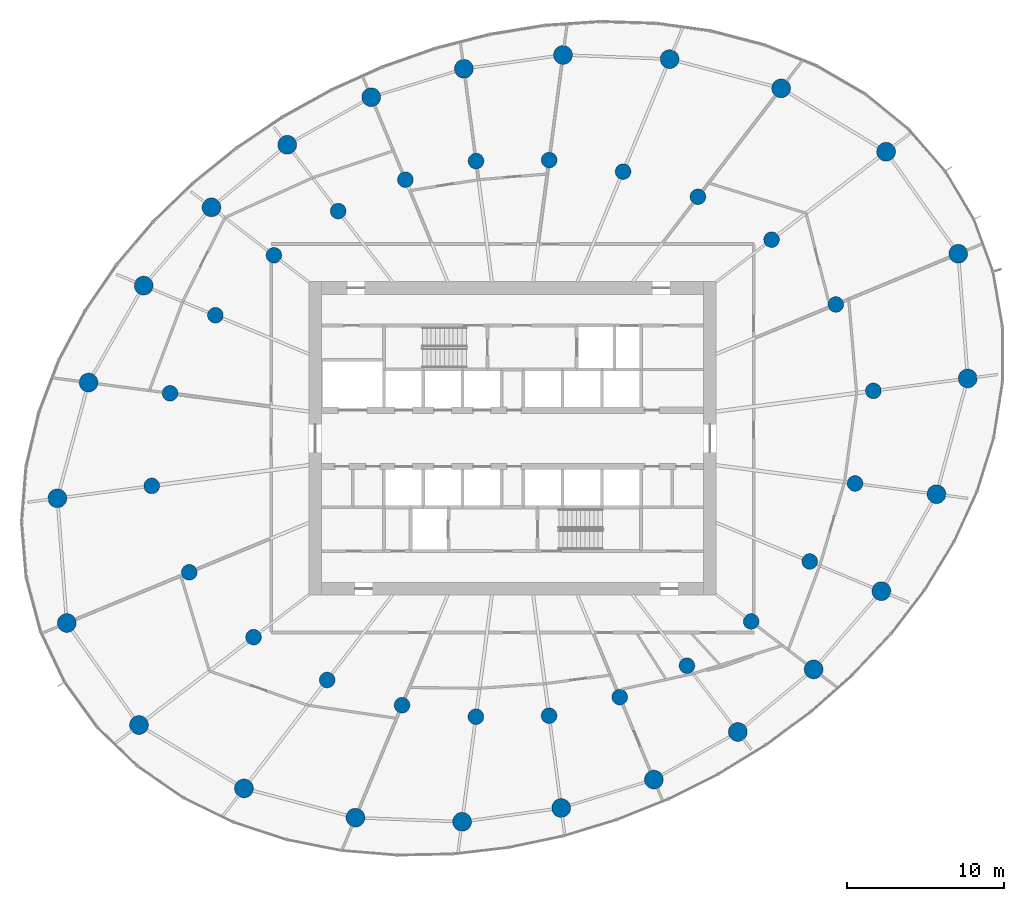
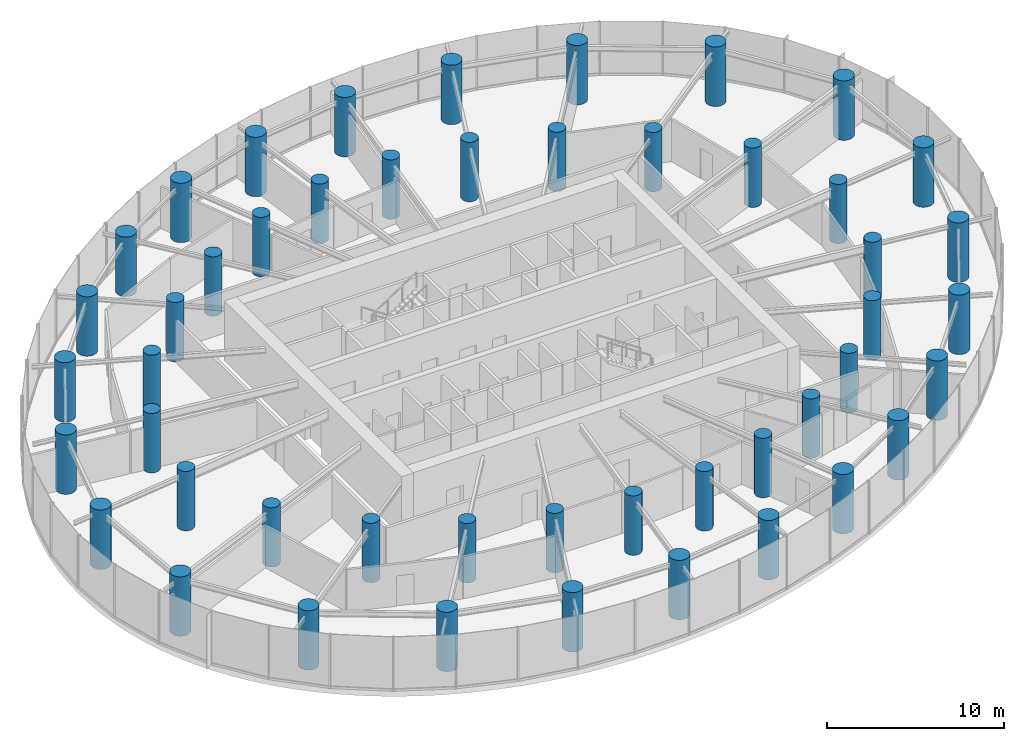
# One storey, part 1 of 17: 48 columns.
"""IFC4 building model written with IfcOpenShell, lengths in metres."""

from ifc_helpers import new_model, si_unit, direction, frame, origin, origin_2d, place, context, subcontext, project, spatial, circle, extrude, source, transform, mapped, material, material_profile, profile_set, type_object, element, save


model = new_model("IFC4")

# Units and contexts
model_context = context("Model", 3, precision=1e-05, world=origin(), true_north=direction((0.0, 1.0)))
body_context = subcontext(model_context, "Body", "Model", "MODEL_VIEW")
ifc_project = project(units=[si_unit("LENGTHUNIT", "METRE"), si_unit("AREAUNIT", "SQUARE_METRE"), si_unit("VOLUMEUNIT", "CUBIC_METRE"), si_unit("PLANEANGLEUNIT", "RADIAN"), si_unit("MASSUNIT", "GRAM", prefix="KILO")], contexts=[model_context])

# Site, building, storey
site_placement = place(None, origin())
site = spatial("IfcSite", under=ifc_project, at=site_placement, CompositionType="ELEMENT")
building_placement = place(site_placement, origin())
building = spatial("IfcBuilding", under=site, at=building_placement, Name="Spindrift Exchange Tower", CompositionType="ELEMENT")
storey_placement = place(building_placement, frame((0.0, 0.0, 96.199951171875)))
storey = spatial("IfcBuildingStorey", under=building, at=storey_placement, Name="L22", CompositionType="ELEMENT", Elevation=96.199951171875)

# Columns
ifc_material = material(Name="Concrete 65 MPa", Category="concrete")
ifc_material_profile_1 = material_profile(ifc_material, circle(Radius=0.60009765625, at=origin_2d()), Name="RC D1200")
ifc_profile_set_1 = profile_set([ifc_material_profile_1], Name="Concrete 65 MPa")
column_type_1 = type_object("IfcColumnType", Name="RC Perimeter Column D1200 Concrete 65 MPa", PredefinedType="COLUMN", material=ifc_profile_set_1)
shared_shape_1 = source(origin(), body_context, "Body", "SweptSolid", [
    extrude(circle(Radius=0.60009765625, at=origin_2d()), origin(), (0.0, 0.0, 1.0), 4.10009765625),
])
for number, where, z_axis, x_axis, name in (
    (1, (81.056396484375, 51.8251953125, 0.0), (0.0, 0.0, 1.0), (1.0, 0.0, 0.0), "Perimeter column P2-01 L22"),
    (2, (80.45556640625, 59.78662109375, 0.0), (0.0, 0.0, 1.0), (1.0, 0.0, 0.0), "Perimeter column P2-02 L22"),
    (3, (75.84814453125, 66.29931640625, 0.0), (0.0, 0.0, 1.0), (1.0, 0.0, 0.0), "Perimeter column P2-03 L22"),
    (4, (69.145751953125, 70.3447265625, 0.0), (0.0, 0.0, 1.0), (1.0, 0.0, 0.0), "Perimeter column P2-04 L22"),
    (5, (62.029052734375, 72.212158203125, 0.0), (0.0, 0.0, 1.0), (1.0, 0.0, 0.0), "Perimeter column P2-05 L22"),
    (6, (55.222412109375, 72.476806640625, 0.0), (0.0, 0.0, 1.0), (1.0, 0.0, 0.0), "Perimeter column P2-06 L22"),
    (7, (48.8935546875, 71.595458984375, 0.0), (0.0, 0.0, 1.0), (1.0, 0.0, 0.0), "Perimeter column P2-07 L22"),
    (8, (42.978271484375, 69.780517578125, 0.0), (0.0, 0.0, 1.0), (1.0, 0.0, 0.0), "Perimeter column P2-08 L22"),
    (9, (37.617919921875, 66.742919921875, 0.0), (0.0, 0.0, 1.0), (1.0, 0.0, 0.0), "Perimeter column P2-09 L22"),
    (10, (32.7802734375, 62.747802734375, 0.0), (0.0, 0.0, 1.0), (1.0, 0.0, 0.0), "Perimeter column P2-10 L22"),
    (11, (28.4521484375, 57.75390625, 0.0), (0.0, 0.0, 1.0), (1.0, 0.0, 0.0), "Perimeter column P2-11 L22"),
    (12, (24.935546875, 51.56298828125, 0.0), (0.0, 0.0, 1.0), (1.0, 0.0, 0.0), "Perimeter column P2-12 L22"),
    (13, (22.943603515625, 44.1748046875, 0.0), (0.0, 0.0, 1.0), (1.0, 0.0, 0.0), "Perimeter column P2-13 L22"),
    (14, (23.54443359375, 36.21337890625, 0.0), (0.0, 0.0, 1.0), (1.0, 0.0, 0.0), "Perimeter column P2-14 L22"),
    (15, (28.15185546875, 29.70068359375, 0.0), (0.0, 0.0, 1.0), (1.0, 0.0, 0.0), "Perimeter column P2-15 L22"),
    (16, (34.854248046875, 25.6552734375, 0.0), (0.0, 0.0, 1.0), (1.0, 0.0, 0.0), "Perimeter column P2-16 L22"),
    (17, (41.970947265625, 23.787841796875, 0.0), (0.0, 0.0, 1.0), (1.0, 0.0, 0.0), "Perimeter column P2-17 L22"),
    (18, (48.777587890625, 23.523193359375, 0.0), (0.0, 0.0, 1.0), (1.0, 0.0, 0.0), "Perimeter column P2-18 L22"),
    (19, (55.1064453125, 24.404541015625, 0.0), (0.0, 0.0, 1.0), (1.0, 0.0, 0.0), "Perimeter column P2-19 L22"),
    (20, (61.021728515625, 26.219482421875, 0.0), (0.0, 0.0, 1.0), (1.0, 0.0, 0.0), "Perimeter column P2-20 L22"),
    (21, (66.382080078125, 29.257080078125, 0.0), (0.0, 0.0, 1.0), (1.0, 0.0, 0.0), "Perimeter column P2-21 L22"),
    (22, (71.2197265625, 33.252197265625, 0.0), (0.0, 0.0, 1.0), (1.0, 0.0, 0.0), "Perimeter column P2-22 L22"),
    (23, (75.5478515625, 38.24609375, 0.0), (0.0, 0.0, 1.0), (1.0, 0.0, 0.0), "Perimeter column P2-23 L22"),
    (24, (79.064453125, 44.43701171875, 0.0), (0.0, 0.0, 1.0), (1.0, 0.0, 0.0), "Perimeter column P2-24 L22"),
):
    element("IfcColumn", number, at=place(storey_placement, frame(where, z_axis=z_axis, x_axis=x_axis)), inside=storey, type_object=column_type_1, Name=name, PredefinedType="COLUMN", context=body_context, shape_type="MappedRepresentation", body=[
        mapped(shared_shape_1, transform((0.0, 0.0, 0.0), scale=1.0)),
    ])
ifc_material_profile_2 = material_profile(ifc_material, circle(Radius=0.5, at=origin_2d()), Name="RC D1000")
ifc_profile_set_2 = profile_set([ifc_material_profile_2], Name="Concrete 65 MPa")
column_type_2 = type_object("IfcColumnType", Name="RC Inner Column D1000 Concrete 65 MPa", PredefinedType="COLUMN", material=ifc_profile_set_2)
shared_shape_2 = source(origin(), body_context, "Body", "SweptSolid", [
    extrude(circle(Radius=0.5, at=origin_2d()), origin(), (0.0, 0.0, 1.0), 4.10009765625),
])
for number, where, z_axis, x_axis, name in (
    (25, (75.033935546875, 51.032470703125, 0.0), (0.0, 0.0, 1.0), (1.0, 0.0, 0.0), "Inner column Q2-01 L22"),
    (26, (72.639404296875, 56.549072265625, 0.0), (0.0, 0.0, 1.0), (1.0, 0.0, 0.0), "Inner column Q2-02 L22"),
    (27, (68.534912109375, 60.6875, 0.0), (0.0, 0.0, 1.0), (1.0, 0.0, 0.0), "Inner column Q2-03 L22"),
    (28, (63.835205078125, 63.423828125, 0.0), (0.0, 0.0, 1.0), (1.0, 0.0, 0.0), "Inner column Q2-04 L22"),
    (29, (59.0546875, 65.03125, 0.0), (0.0, 0.0, 1.0), (1.0, 0.0, 0.0), "Inner column Q2-05 L22"),
    (30, (54.339111328125, 65.767333984375, 0.0), (0.0, 0.0, 1.0), (1.0, 0.0, 0.0), "Inner column Q2-06 L22"),
    (31, (49.669189453125, 65.703125, 0.0), (0.0, 0.0, 1.0), (1.0, 0.0, 0.0), "Inner column Q2-07 L22"),
    (32, (45.158203125, 64.517578125, 0.0), (0.0, 0.0, 1.0), (1.0, 0.0, 0.0), "Inner column Q2-08 L22"),
    (33, (40.8662109375, 62.510009765625, 0.0), (0.0, 0.0, 1.0), (1.0, 0.0, 0.0), "Inner column Q2-09 L22"),
    (34, (36.767578125, 59.688232421875, 0.0), (0.0, 0.0, 1.0), (1.0, 0.0, 0.0), "Inner column Q2-10 L22"),
    (35, (33.027587890625, 55.858642578125, 0.0), (0.0, 0.0, 1.0), (1.0, 0.0, 0.0), "Inner column Q2-11 L22"),
    (36, (30.13671875, 50.87841796875, 0.0), (0.0, 0.0, 1.0), (1.0, 0.0, 0.0), "Inner column Q2-12 L22"),
    (37, (28.966064453125, 44.967529296875, 0.0), (0.0, 0.0, 1.0), (1.0, 0.0, 0.0), "Inner column Q2-13 L22"),
    (38, (31.360595703125, 39.450927734375, 0.0), (0.0, 0.0, 1.0), (1.0, 0.0, 0.0), "Inner column Q2-14 L22"),
    (39, (35.465087890625, 35.3125, 0.0), (0.0, 0.0, 1.0), (1.0, 0.0, 0.0), "Inner column Q2-15 L22"),
    (40, (40.164794921875, 32.576171875, 0.0), (0.0, 0.0, 1.0), (1.0, 0.0, 0.0), "Inner column Q2-16 L22"),
    (41, (44.9453125, 30.96875, 0.0), (0.0, 0.0, 1.0), (1.0, 0.0, 0.0), "Inner column Q2-17 L22"),
    (42, (49.660888671875, 30.232666015625, 0.0), (0.0, 0.0, 1.0), (1.0, 0.0, 0.0), "Inner column Q2-18 L22"),
    (43, (54.330810546875, 30.296875, 0.0), (0.0, 0.0, 1.0), (1.0, 0.0, 0.0), "Inner column Q2-19 L22"),
    (44, (58.841796875, 31.482421875, 0.0), (0.0, 0.0, 1.0), (1.0, 0.0, 0.0), "Inner column Q2-20 L22"),
    (45, (63.1337890625, 33.489990234375, 0.0), (0.0, 0.0, 1.0), (1.0, 0.0, 0.0), "Inner column Q2-21 L22"),
    (46, (67.232421875, 36.311767578125, 0.0), (0.0, 0.0, 1.0), (1.0, 0.0, 0.0), "Inner column Q2-22 L22"),
    (47, (70.972412109375, 40.141357421875, 0.0), (0.0, 0.0, 1.0), (1.0, 0.0, 0.0), "Inner column Q2-23 L22"),
    (48, (73.86328125, 45.12158203125, 0.0), (0.0, 0.0, 1.0), (1.0, 0.0, 0.0), "Inner column Q2-24 L22"),
):
    element("IfcColumn", number, at=place(storey_placement, frame(where, z_axis=z_axis, x_axis=x_axis)), inside=storey, type_object=column_type_2, Name=name, PredefinedType="COLUMN", context=body_context, shape_type="MappedRepresentation", body=[
        mapped(shared_shape_2, transform((0.0, 0.0, 0.0), scale=1.0)),
    ])

save(model, "model.ifc")
